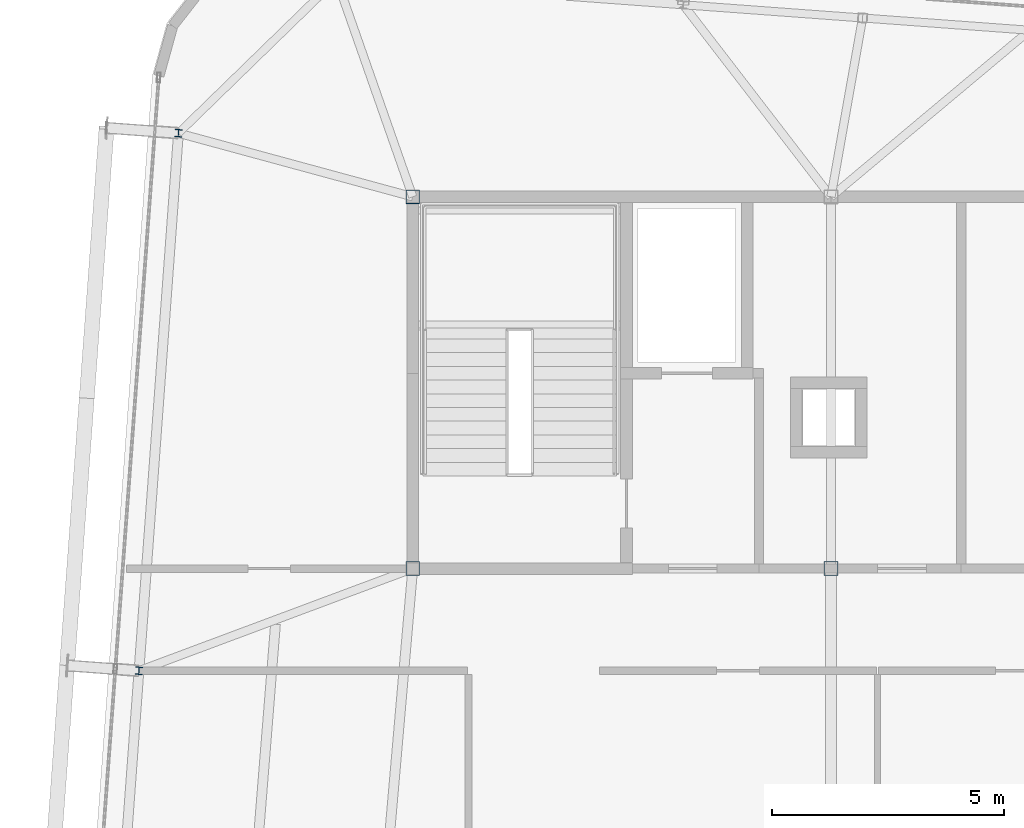
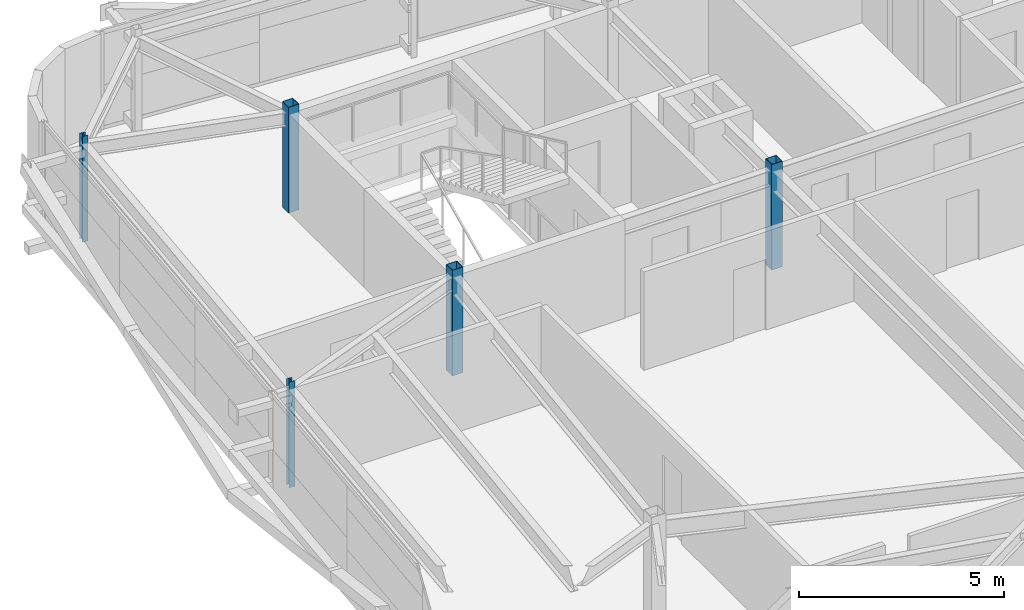
# One storey, part 3 of 34: 5 columns.
"""IFC4 building model written with IfcOpenShell, lengths in metres."""

from ifc_helpers import new_model, si_unit, direction, frame, origin, origin_2d, place, context, subcontext, project, spatial, hollow_rectangle, i_section, extrude, source, transform, mapped, material, material_profile, profile_set, type_object, element, save


model = new_model("IFC4")

# Units and contexts
model_context = context("Model", 3, precision=1e-05, world=origin(), true_north=direction((0.0, 1.0)))
body_context = subcontext(model_context, "Body", "Model", "MODEL_VIEW")
ifc_project = project(units=[si_unit("LENGTHUNIT", "METRE"), si_unit("AREAUNIT", "SQUARE_METRE"), si_unit("VOLUMEUNIT", "CUBIC_METRE"), si_unit("PLANEANGLEUNIT", "RADIAN"), si_unit("MASSUNIT", "GRAM", prefix="KILO")], contexts=[model_context])

# Site, building, storey
site_placement = place(None, origin())
site = spatial("IfcSite", under=ifc_project, at=site_placement, CompositionType="ELEMENT")
building_placement = place(site_placement, origin())
building = spatial("IfcBuilding", under=site, at=building_placement, Name="Taldren Reach Tower", CompositionType="ELEMENT")
storey_placement = place(building_placement, frame((0.0, 0.0, 239.75)))
storey = spatial("IfcBuildingStorey", under=building, at=storey_placement, Name="L73", CompositionType="ELEMENT", Elevation=239.75)

# Columns
ifc_material_1 = material(Name="Steel Gr 450 (C450L0)", Category="steel")
ifc_material_profile_1 = material_profile(ifc_material_1, hollow_rectangle(XDim=0.300048828125, YDim=0.300048828125, WallThickness=0.012451171875, at=origin_2d()), Name="300x300x12.5SHS")
ifc_profile_set_1 = profile_set([ifc_material_profile_1], Name="Steel Gr 450 (C450L0)")
column_type_1 = type_object("IfcColumnType", Name="COL-SHS300", PredefinedType="COLUMN", material=ifc_profile_set_1)
shared_shape_1 = source(origin(), body_context, "Body", "SweptSolid", [
    extrude(hollow_rectangle(XDim=0.300048828125, YDim=0.300048828125, WallThickness=0.012451171875, at=origin_2d()), origin(), (0.0, 0.0, 1.0), 3.14990234375),
])
for number, where, z_axis, x_axis, name in (
    (1, (19.0, 24.0, 0.0), (0.0, 0.0, 1.0), (1.0, 0.0, 0.0), "Mega column MC-C1 L73"),
    (2, (28.0, 24.0, 0.0), (0.0, 0.0, 1.0), (1.0, 0.0, 0.0), "Mega column MC-C2 L73"),
    (3, (19.0, 32.0, 0.0), (0.0, 0.0, 1.0), (1.0, 0.0, 0.0), "Mega column MC-C5 L73"),
):
    element("IfcColumn", number, at=place(storey_placement, frame(where, z_axis=z_axis, x_axis=x_axis)), inside=storey, type_object=column_type_1, Name=name, PredefinedType="COLUMN", context=body_context, shape_type="MappedRepresentation", body=[
        mapped(shared_shape_1, transform((0.0, 0.0, 0.0), scale=1.0)),
    ])
ifc_material_2 = material(Name="Steel Gr 350 (350PLUS)", Category="steel")
ifc_material_profile_2 = material_profile(ifc_material_2, i_section(OverallWidth=0.154052734375, OverallDepth=0.162109375, WebThickness=0.008056640625, FlangeThickness=0.011474609375, at=origin_2d()), Name="150UC37.2")
ifc_profile_set_2 = profile_set([ifc_material_profile_2], Name="Steel Gr 350 (350PLUS)")
column_type_2 = type_object("IfcColumnType", Name="COL-UC150", PredefinedType="COLUMN", material=ifc_profile_set_2)
shared_shape_2 = source(origin(), body_context, "Body", "SweptSolid", [
    extrude(i_section(OverallWidth=0.154052734375, OverallDepth=0.162109375, WebThickness=0.008056640625, FlangeThickness=0.011474609375, at=origin_2d()), origin(), (0.0, 0.0, 1.0), 3.14990234375),
])
for number, where, z_axis, x_axis, name in (
    (4, (13.108642578125, 21.80029296875, 0.0), (0.0, 0.0, 1.0), (0.997314477224, -0.073238197128, 0.0), "Block B5 perimeter column W2 L73"),
    (5, (13.958251953125, 33.369140625, 0.0), (0.0, 0.0, 1.0), (0.997314477224, -0.073238197128, 0.0), "Block B5 perimeter column W3 L73"),
):
    element("IfcColumn", number, at=place(storey_placement, frame(where, z_axis=z_axis, x_axis=x_axis)), inside=storey, type_object=column_type_2, Name=name, PredefinedType="COLUMN", context=body_context, shape_type="MappedRepresentation", body=[
        mapped(shared_shape_2, transform((0.0, 0.0, 0.0), scale=1.0)),
    ])

save(model, "model.ifc")
